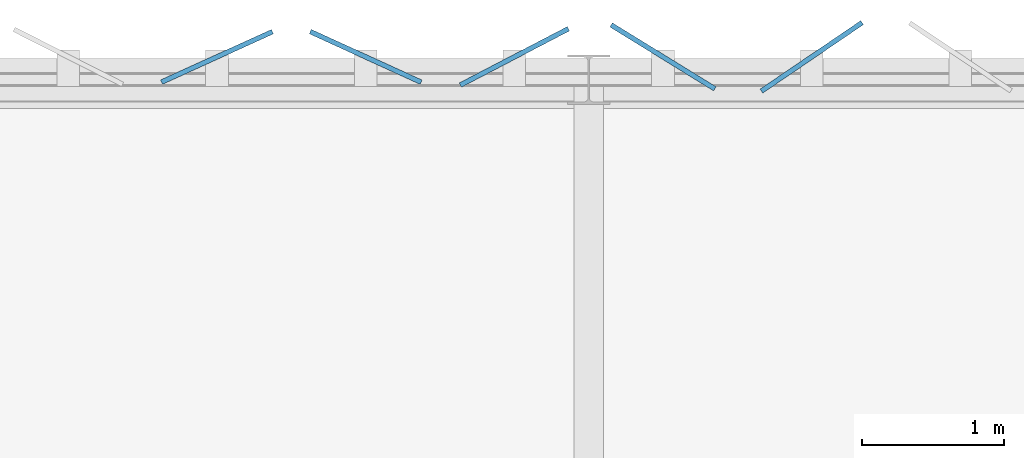
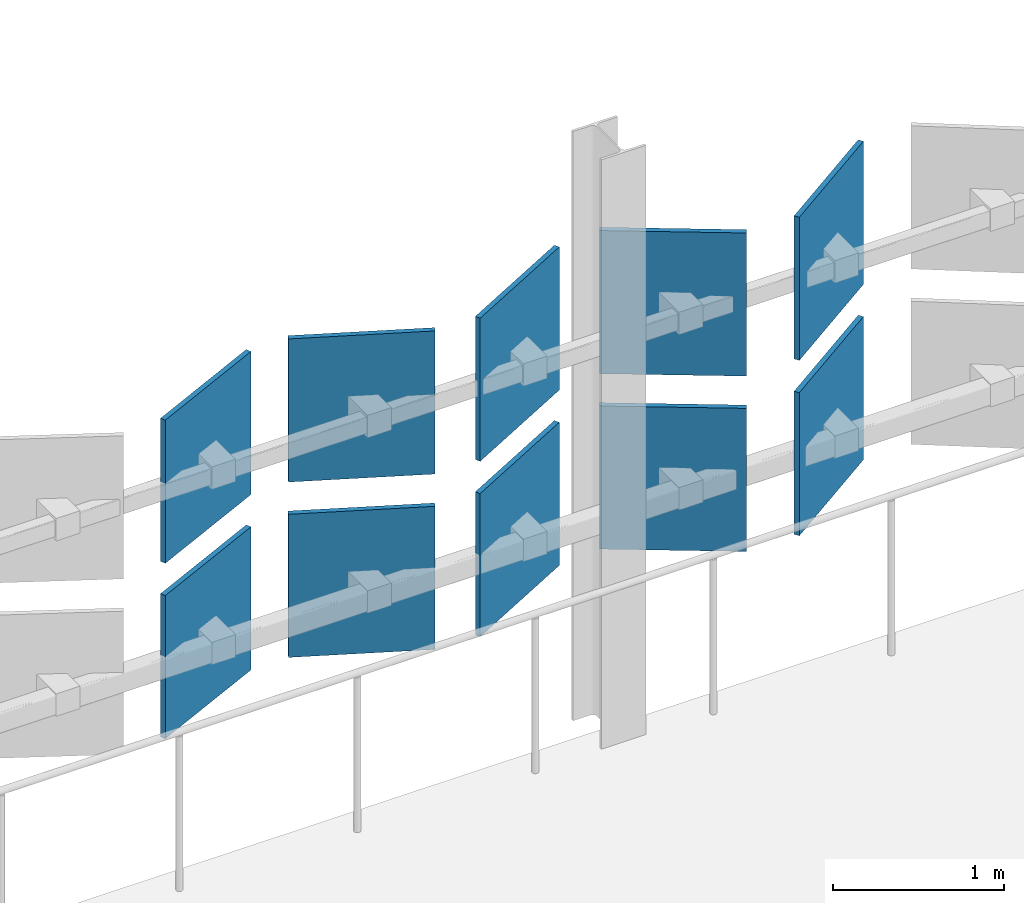
# One storey, part 124 of 163: 10 plates.
"""IFC4 building model written with IfcOpenShell, lengths in metres."""

from ifc_helpers import new_model, si_unit, direction, frame, origin, origin_2d, place, context, subcontext, project, spatial, rectangle, extrude, material, layer, layer_set, type_object, element, save


model = new_model("IFC4")

# Units and contexts
model_context = context("Model", 3, precision=1e-05, world=origin(), true_north=direction((0.0, 1.0)))
body_context = subcontext(model_context, "Body", "Model", "MODEL_VIEW")
ifc_project = project(units=[si_unit("LENGTHUNIT", "METRE"), si_unit("AREAUNIT", "SQUARE_METRE"), si_unit("VOLUMEUNIT", "CUBIC_METRE"), si_unit("PLANEANGLEUNIT", "RADIAN"), si_unit("MASSUNIT", "GRAM", prefix="KILO")], contexts=[model_context])

# Site, building, storey
site_placement = place(None, origin())
site = spatial("IfcSite", under=ifc_project, at=site_placement, CompositionType="ELEMENT")
building_placement = place(site_placement, origin())
building = spatial("IfcBuilding", under=site, at=building_placement, Name="Qalvenar Corner Mobility Hub", CompositionType="ELEMENT")
storey_placement = place(building_placement, frame((0.0, 0.0, 4.800048828125)))
storey = spatial("IfcBuildingStorey", under=building, at=storey_placement, Name="L01", CompositionType="ELEMENT", Elevation=4.800048828125)

# Plates
ifc_material = material(Name="Terracotta-Ochre Anodised Aluminium", Category="masonry")
ifc_layer = layer(ifc_material, 0.033935546875)
ifc_layer_set = layer_set([ifc_layer], Name="Terracotta-Ochre Anodised Aluminium")
plate_type = type_object("IfcPlateType", Name="PLT-XC-L1-STD", PredefinedType="SHEET", material=ifc_layer_set)
for number, where, z_axis, x_axis, name in (
    (1, (127.574951171875, 117.760009765625, 0.989990234375), (0.0, 0.0, 1.0), (-0.826982459622, -0.562227722082, 0.0), "Hinged Facade Panel FP-L01-0141"),
    (2, (127.574951171875, 117.760009765625, 2.239990234375), (0.0, 0.0, 1.0), (-0.826982459622, -0.562227722082, 0.0), "Hinged Facade Panel FP-L01-0142"),
    (3, (126.52490234375, 117.760009765625, 0.989990234375), (0.0, 0.0, 1.0), (-0.851452459024, 0.524431797303, 0.0), "Hinged Facade Panel FP-L01-0143"),
    (4, (126.52490234375, 117.760009765625, 2.239990234375), (0.0, 0.0, 1.0), (-0.851452459024, 0.524431797303, 0.0), "Hinged Facade Panel FP-L01-0144"),
    (5, (125.47509765625, 117.760009765625, 0.989990234375), (0.0, 0.0, 1.0), (-0.886768940591, -0.462212987705, 0.0), "Hinged Facade Panel FP-L01-0145"),
    (6, (125.47509765625, 117.760009765625, 2.239990234375), (0.0, 0.0, 1.0), (-0.886768940591, -0.462212987705, 0.0), "Hinged Facade Panel FP-L01-0146"),
    (7, (124.425048828125, 117.760009765625, 0.989990234375), (0.0, 0.0, 1.0), (-0.909599036311, 0.415487175664, 0.0), "Hinged Facade Panel FP-L01-0147"),
    (8, (124.425048828125, 117.760009765625, 2.239990234375), (0.0, 0.0, 1.0), (-0.909599036311, 0.415487175664, 0.0), "Hinged Facade Panel FP-L01-0148"),
    (9, (123.375, 117.760009765625, 0.989990234375), (0.0, 0.0, 1.0), (-0.9102505596, -0.41405786884, 0.0), "Hinged Facade Panel FP-L01-0149"),
    (10, (123.375, 117.760009765625, 2.239990234375), (0.0, 0.0, 1.0), (-0.9102505596, -0.41405786884, 0.0), "Hinged Facade Panel FP-L01-0150"),
):
    element("IfcPlate", number, at=place(storey_placement, frame(where, z_axis=z_axis, x_axis=x_axis)), inside=storey, type_object=plate_type, Name=name, PredefinedType="SHEET", context=body_context, shape_type="SweptSolid", body=[
        extrude(rectangle(XDim=0.860107421875, YDim=0.033935546875, at=origin_2d()), origin(), (0.0, 0.0, 1.0), 1.02001953125),
    ])

save(model, "model.ifc")
